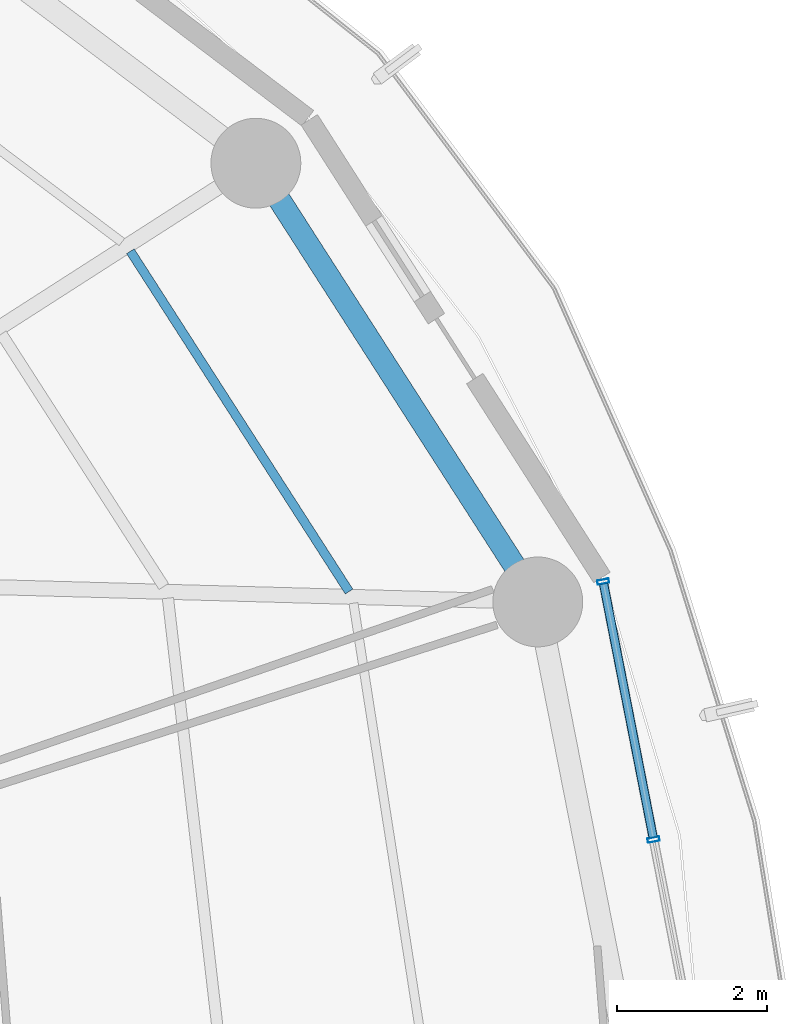
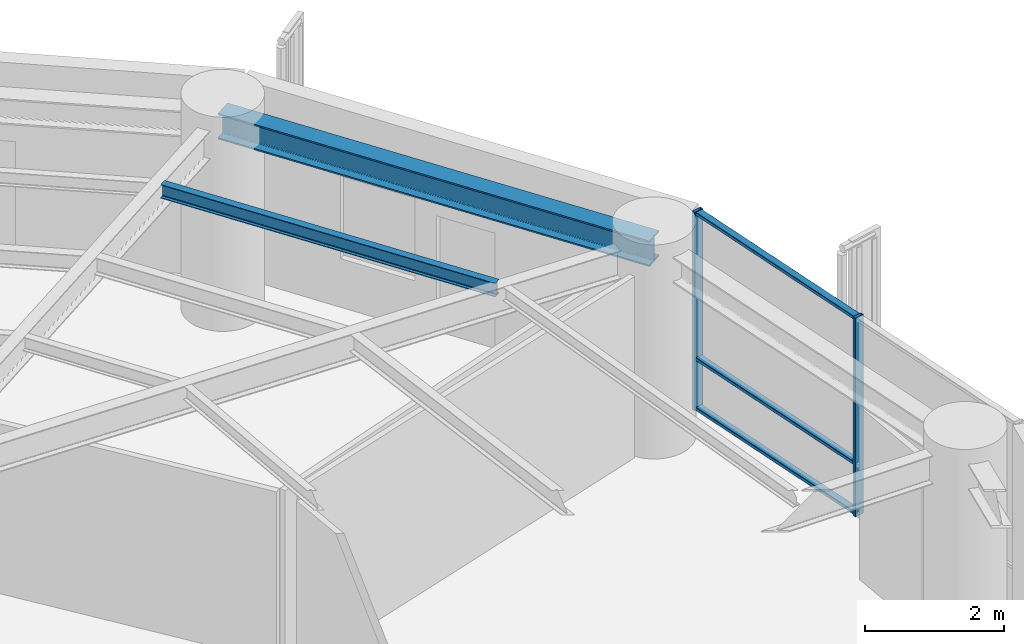
# One storey, part 15 of 27: 5 members, 2 beams, 1 element without a shape of its own.
"""IFC4 building model written with IfcOpenShell, lengths in metres."""

from ifc_helpers import new_model, si_unit, direction, frame, origin, origin_2d, place, context, subcontext, project, spatial, hollow_rectangle, i_section, extrude, material, layer, layer_set, material_profile, profile_set, type_object, element, aggregate, save


model = new_model("IFC4")

# Units and contexts
model_context = context("Model", 3, precision=1e-05, world=origin(), true_north=direction((0.0, 1.0)))
body_context = subcontext(model_context, "Body", "Model", "MODEL_VIEW")
ifc_project = project(units=[si_unit("LENGTHUNIT", "METRE"), si_unit("AREAUNIT", "SQUARE_METRE"), si_unit("VOLUMEUNIT", "CUBIC_METRE"), si_unit("PLANEANGLEUNIT", "RADIAN"), si_unit("MASSUNIT", "GRAM", prefix="KILO")], contexts=[model_context])

# Site, building, storey
site_placement = place(None, origin())
site = spatial("IfcSite", under=ifc_project, at=site_placement, CompositionType="ELEMENT")
building_placement = place(site_placement, origin())
building = spatial("IfcBuilding", under=site, at=building_placement, Name="Kelanora Arch Commons", CompositionType="ELEMENT")
storey_placement = place(building_placement, frame((0.0, 0.0, 169.35009765625)))
storey = spatial("IfcBuildingStorey", under=building, at=storey_placement, Name="L43", CompositionType="ELEMENT", Elevation=169.35009765625)

# Beams
ifc_material_1 = material(Name="Steel S355", Category="steel")
ifc_material_profile_1 = material_profile(ifc_material_1, i_section(OverallWidth=0.1201171875, OverallDepth=0.239990234375, WebThickness=0.006103515625, FlangeThickness=0.009765625, FilletRadius=0.014892578125, at=origin_2d()), Name="IPE240")
ifc_profile_set_1 = profile_set([ifc_material_profile_1], Name="Steel S355")
beam_type_1 = type_object("IfcBeamType", Name="BM-JST-02", PredefinedType="JOIST", material=ifc_profile_set_1)
beam_1_placement = place(storey_placement, frame((91.85205078125, 64.801513671875, 3.369873046875), z_axis=(-0.540581678156, 0.841291536414, 0.0), x_axis=(-0.841291536414, -0.540581678156, 0.0)))
element("IfcBeam", 1, at=beam_1_placement, inside=storey, type_object=beam_type_1, Name="Secondary Chord Joist BJC-02 L43", PredefinedType="JOIST", context=body_context, shape_type="SweptSolid", body=[
    extrude(i_section(OverallWidth=0.1201171875, OverallDepth=0.239990234375, WebThickness=0.006103515625, FlangeThickness=0.009765625, FilletRadius=0.014892578125, at=origin_2d()), origin(), (0.0, 0.0, 1.0), 5.4013671875),
])
ifc_material_profile_2 = material_profile(ifc_material_1, i_section(OverallWidth=0.300048828125, OverallDepth=0.449951171875, WebThickness=0.013916015625, FlangeThickness=0.02587890625, FilletRadius=0.027099609375, at=origin_2d()), Name="HEB450")
ifc_profile_set_2 = profile_set([ifc_material_profile_2], Name="Steel S355")
beam_type_2 = type_object("IfcBeamType", Name="BM-SPN-Z3", PredefinedType="SPANDREL", material=ifc_profile_set_2)
beam_2_placement = place(storey_placement, frame((94.37255859375, 64.66259765625, 3.264892578125), z_axis=(-0.540576852469, 0.841294637196, 0.0), x_axis=(-0.841294637196, -0.540576852469, 0.0)))
element("IfcBeam", 2, at=beam_2_placement, inside=storey, type_object=beam_type_2, Name="Perimeter Spandrel Beam BS-02 L43", PredefinedType="SPANDREL", context=body_context, shape_type="SweptSolid", body=[
    extrude(i_section(OverallWidth=0.300048828125, OverallDepth=0.449951171875, WebThickness=0.013916015625, FlangeThickness=0.02587890625, FilletRadius=0.027099609375, at=origin_2d()), origin(), (0.0, 0.0, 1.0), 6.964111328125),
])

# Curtain wall, members
ifc_material_2 = material(Name="Terracotta ceramic-fritted low-E glass and aluminium", Category="masonry")
ifc_layer = layer(ifc_material_2, 0.175048828125)
ifc_layer_set = layer_set([ifc_layer], Name="Terracotta ceramic-fritted low-E glass and aluminium")
curtain_wall_type = type_object("IfcCurtainWallType", Name="CW-SYS-02", PredefinedType="NOTDEFINED", material=ifc_layer_set)
curtain_wall_placement = place(storey_placement, origin())
curtain_wall = element("IfcCurtainWall", 3, at=curtain_wall_placement, inside=storey, type_object=curtain_wall_type, Name="Unitised Curtain Wall L43-B00", PredefinedType="NOTDEFINED")
ifc_material_3 = material(Name="Powder-coated aluminium terracotta", Category="masonry")
ifc_material_profile_3 = material_profile(ifc_material_3, hollow_rectangle(XDim=0.159912109375, YDim=0.06005859375, WallThickness=0.0048828125, InnerFilletRadius=0.0048828125, OuterFilletRadius=0.010009765625, at=origin_2d()), Name="CWM160x60")
ifc_profile_set_3 = profile_set([ifc_material_profile_3], Name="Powder-coated aluminium terracotta")
member_type_1 = type_object("IfcMemberType", Name="CWM-STD", PredefinedType="MULLION", material=ifc_profile_set_3)
member_1_placement = place(storey_placement, frame((95.91845703125, 61.488525390625, 0.0), z_axis=(0.0, 0.0, 1.0), x_axis=(-0.981452557718, -0.191705182375, 0.0)))
member_1 = element("IfcMember", 4, at=member_1_placement, type_object=member_type_1, Name="CW-02 mullion 2", PredefinedType="MULLION", context=body_context, shape_type="SweptSolid", body=[
    extrude(hollow_rectangle(XDim=0.159912109375, YDim=0.06005859375, WallThickness=0.0048828125, InnerFilletRadius=0.0048828125, OuterFilletRadius=0.010009765625, at=origin_2d()), origin(), (0.0, 0.0, 1.0), 3.474853515625),
])
member_2_placement = place(storey_placement, frame((95.245849609375, 64.93310546875, 0.0), z_axis=(0.0, 0.0, 1.0), x_axis=(-0.981452557718, -0.191705182375, 0.0)))
member_2 = element("IfcMember", 5, at=member_2_placement, type_object=member_type_1, Name="CW-02 mullion 3", PredefinedType="MULLION", context=body_context, shape_type="SweptSolid", body=[
    extrude(hollow_rectangle(XDim=0.159912109375, YDim=0.06005859375, WallThickness=0.0048828125, InnerFilletRadius=0.0048828125, OuterFilletRadius=0.010009765625, at=origin_2d()), origin(), (0.0, 0.0, 1.0), 3.474853515625),
])
ifc_material_profile_4 = material_profile(ifc_material_3, hollow_rectangle(XDim=0.1201171875, YDim=0.06005859375, WallThickness=0.0048828125, InnerFilletRadius=0.0048828125, OuterFilletRadius=0.010009765625, at=origin_2d()), Name="CWT120x60")
ifc_profile_set_4 = profile_set([ifc_material_profile_4], Name="Powder-coated aluminium terracotta")
member_type_2 = type_object("IfcMemberType", Name="CWT-STD", PredefinedType="USERDEFINED", material=ifc_profile_set_4)
member_3_placement = place(storey_placement, frame((95.912841796875, 61.51806640625, 0.02978515625), z_axis=(-0.191731523726, 0.981447412147, 0.0), x_axis=(-0.981447412147, -0.191731523726, 0.0)))
member_3 = element("IfcMember", 6, at=member_3_placement, type_object=member_type_2, Name="CW-02 transom 2.1", ObjectType="TRANSOM", PredefinedType="USERDEFINED", context=body_context, shape_type="SweptSolid", body=[
    extrude(hollow_rectangle(XDim=0.1201171875, YDim=0.06005859375, WallThickness=0.0048828125, InnerFilletRadius=0.0048828125, OuterFilletRadius=0.010009765625, at=origin_2d()), origin(), (0.0, 0.0, 1.0), 3.449462890625),
])
member_4_placement = place(storey_placement, frame((95.912841796875, 61.51806640625, 0.89990234375), z_axis=(-0.191731523726, 0.981447412147, 0.0), x_axis=(-0.981447412147, -0.191731523726, 0.0)))
member_4 = element("IfcMember", 7, at=member_4_placement, type_object=member_type_2, Name="CW-02 transom 2.2", ObjectType="TRANSOM", PredefinedType="USERDEFINED", context=body_context, shape_type="SweptSolid", body=[
    extrude(hollow_rectangle(XDim=0.1201171875, YDim=0.06005859375, WallThickness=0.0048828125, InnerFilletRadius=0.0048828125, OuterFilletRadius=0.010009765625, at=origin_2d()), origin(), (0.0, 0.0, 1.0), 3.449462890625),
])
member_5_placement = place(storey_placement, frame((95.912841796875, 61.51806640625, 3.44482421875), z_axis=(-0.191731523726, 0.981447412147, 0.0), x_axis=(-0.981447412147, -0.191731523726, 0.0)))
member_5 = element("IfcMember", 8, at=member_5_placement, type_object=member_type_2, Name="CW-02 transom 2.3", ObjectType="TRANSOM", PredefinedType="USERDEFINED", context=body_context, shape_type="SweptSolid", body=[
    extrude(hollow_rectangle(XDim=0.1201171875, YDim=0.06005859375, WallThickness=0.0048828125, InnerFilletRadius=0.0048828125, OuterFilletRadius=0.010009765625, at=origin_2d()), origin(), (0.0, 0.0, 1.0), 3.449462890625),
])
aggregate(curtain_wall, [member_1, member_2, member_3, member_4, member_5])

save(model, "model.ifc")
